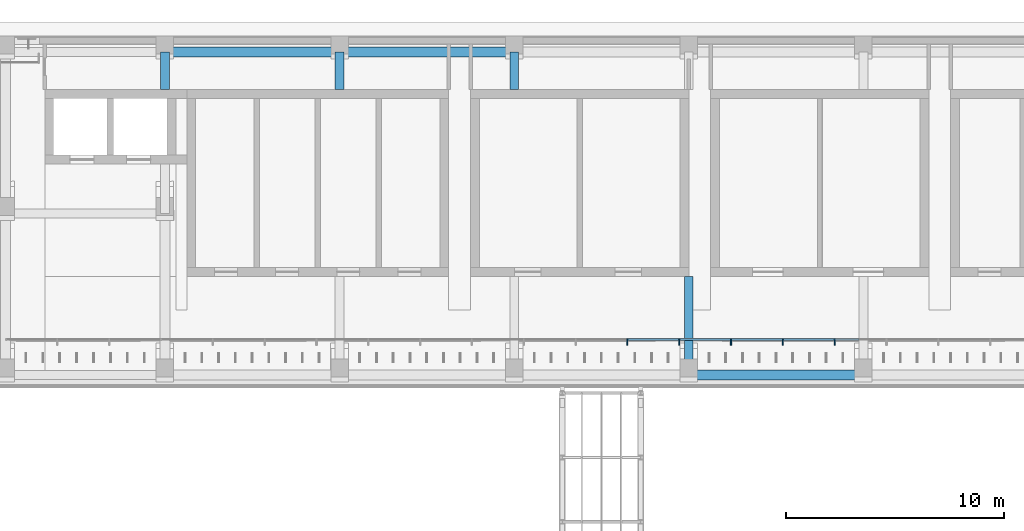
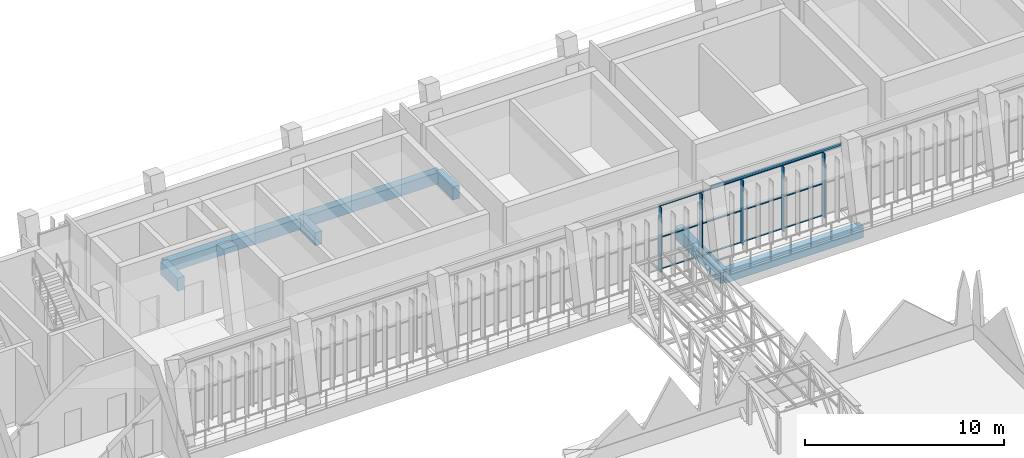
# One storey, part 75 of 141: 17 members, 8 beams, 1 element without a shape of its own.
"""IFC4 building model written with IfcOpenShell, lengths in metres."""

import ifcopenshell
import ifcopenshell.guid

model = None  # the IFC model being written
_history = None  # IfcOwnerHistory: only IFC2X3 demands one
_inside = {}  # id of a spatial element -> (the spatial element, [elements in it])
_under = {}  # id of a project, library or spatial element -> (it, [spatial elements below it])
_declared = {}  # id of a project -> (the project, [libraries it declares])
_typed = {}  # id of a type object -> (the type object, [elements of that type])
_made_of = {}  # id of a material, layer set ... -> (it, [elements and type objects made of it])


def new_model(schema):
    """Start an empty IFC model of exactly this schema.

    Asked for "IFC4X3", IfcOpenShell would pick the latest addendum, in which some entities
    have other attributes; the version numbers below select the first issue.
    IFC2X3 requires an IfcOwnerHistory on every rooted entity: one is made here for all.
    """
    global model, _history
    if schema == "IFC4X3":
        model = ifcopenshell.file(schema_version=(4, 3, 0, 0))
    else:
        model = ifcopenshell.file(schema=schema)
    _inside.clear()
    _under.clear()
    _declared.clear()
    _typed.clear()
    _made_of.clear()
    _history = None
    if model.schema == "IFC2X3":
        org = make("IfcOrganization", Name="unknown")
        user = make(
            "IfcPersonAndOrganization",
            ThePerson=make("IfcPerson", FamilyName="unknown"),
            TheOrganization=org,
        )
        app = make(
            "IfcApplication",
            ApplicationDeveloper=org,
            Version="unknown",
            ApplicationFullName="unknown",
            ApplicationIdentifier="unknown",
        )
        _history = make(
            "IfcOwnerHistory",
            OwningUser=user,
            OwningApplication=app,
            ChangeAction="ADDED",
            CreationDate=0,
        )
    return model


def make(cls, **values):
    """One entity of the class cls with the attributes given. An attribute that is None is left unset."""
    return model.create_entity(
        cls, **{name: value for name, value in values.items() if value is not None}
    )


def rooted(cls, **values):
    """An entity with a GlobalId (a new one), such as an element, a storey or a relation."""
    return make(cls, GlobalId=ifcopenshell.guid.new(), OwnerHistory=_history, **values)


def si_unit(unit_type, name, prefix=None):
    """IfcSIUnit, for example si_unit("LENGTHUNIT", "METRE", prefix="MILLI")."""
    return make("IfcSIUnit", UnitType=unit_type, Prefix=prefix, Name=name)


def assignment(units):
    """IfcUnitAssignment: the units of a project."""
    return None if units is None else make("IfcUnitAssignment", Units=units)


def point(xyz):
    """IfcCartesianPoint."""
    return None if xyz is None else make("IfcCartesianPoint", Coordinates=xyz)


def direction(xyz):
    """IfcDirection."""
    return None if xyz is None else make("IfcDirection", DirectionRatios=xyz)


def frame(location, z_axis=None, x_axis=None):
    """IfcAxis2Placement3D, a coordinate frame: its origin and axes. An axis left out is left unset."""
    return make(
        "IfcAxis2Placement3D",
        Location=point(location),
        Axis=direction(z_axis),
        RefDirection=direction(x_axis),
    )


def frame_2d(location, x_axis=None):
    """IfcAxis2Placement2D, a coordinate frame in the plane: its origin and x axis."""
    return make(
        "IfcAxis2Placement2D", Location=point(location), RefDirection=direction(x_axis)
    )


def origin():
    """The frame at (0, 0, 0) with its axes left unset."""
    return frame((0.0, 0.0, 0.0))


def origin_2d():
    """The frame at (0, 0) in the plane with its x axis left unset."""
    return frame_2d((0.0, 0.0))


def place(relative_to, where):
    """IfcLocalPlacement: puts the frame where relative to a parent placement (None: the world)."""
    return make(
        "IfcLocalPlacement", PlacementRelTo=relative_to, RelativePlacement=where
    )


def context(
    kind, dimensions, precision=None, world=None, true_north=None, identifier=None
):
    """IfcGeometricRepresentationContext, for example the 3D "Model" context."""
    return make(
        "IfcGeometricRepresentationContext",
        ContextIdentifier=identifier,
        ContextType=kind,
        CoordinateSpaceDimension=dimensions,
        Precision=precision,
        WorldCoordinateSystem=world,
        TrueNorth=true_north,
    )


def subcontext(parent, identifier, kind, view, scale=None):
    """IfcGeometricRepresentationSubContext, for example "Body" below "Model"."""
    return make(
        "IfcGeometricRepresentationSubContext",
        ContextIdentifier=identifier,
        ContextType=kind,
        ParentContext=parent,
        TargetScale=scale,
        TargetView=view,
    )


def project(units=None, contexts=None):
    """IfcProject with its units and contexts."""
    return rooted(
        "IfcProject",
        Name="project",
        RepresentationContexts=contexts,
        UnitsInContext=assignment(units),
    )


def spatial(cls, under=None, at=None, **own):
    """A site, building, storey or space (cls), placed at a placement, below another one or the project."""
    s = rooted(cls, ObjectPlacement=at, **own)
    if under is not None:
        _under.setdefault(under.id(), (under, []))[1].append(s)
    return s


def profile(cls, at=None, kind="AREA", **sizes):
    """A parametric profile (cls). Its sizes go by their IFC names, for example OverallWidth=200.0."""
    return make(cls, ProfileType=kind, Position=at, **sizes)


def rectangle(**sizes):
    """IfcRectangleProfileDef."""
    return profile("IfcRectangleProfileDef", **sizes)


def hollow_rectangle(**sizes):
    """IfcRectangleHollowProfileDef."""
    return profile("IfcRectangleHollowProfileDef", **sizes)


def extrude(swept, where, along, depth):
    """IfcExtrudedAreaSolid: the profile swept, set in the frame where, extruded along a direction by depth."""
    return make(
        "IfcExtrudedAreaSolid",
        SweptArea=swept,
        Position=where,
        ExtrudedDirection=direction(along),
        Depth=depth,
    )


def shape(context_of_items, identifier, shape_type, items):
    """IfcShapeRepresentation: the items that make up one representation, for example the "Body"."""
    return make(
        "IfcShapeRepresentation",
        ContextOfItems=context_of_items,
        RepresentationIdentifier=identifier,
        RepresentationType=shape_type,
        Items=items,
    )


def material(Name=None, Category=None):
    """IfcMaterial."""
    return make("IfcMaterial", Name=Name, Category=Category)


def material_profile(
    of_material, cross_section, Name=None, Category=None, Priority=None
):
    """IfcMaterialProfile: a cross section and its material."""
    return make(
        "IfcMaterialProfile",
        Name=Name,
        Material=of_material,
        Profile=cross_section,
        Priority=Priority,
        Category=Category,
    )


def profile_set(profiles, Name=None, composite=None):
    """IfcMaterialProfileSet."""
    return make(
        "IfcMaterialProfileSet",
        Name=Name,
        MaterialProfiles=profiles,
        CompositeProfile=composite,
    )


def made_of(thing, what):
    """Note that an element or type object is made of a material, layer set ...; save() writes the relation."""
    if what is not None:
        _made_of.setdefault(what.id(), (what, []))[1].append(thing)
    return thing


def type_object(cls, material=None, **own):
    """A type object (cls), such as IfcWallType, which elements share."""
    return made_of(rooted(cls, **own), material)


def element(
    cls,
    number,
    at=None,
    inside=None,
    cuts=None,
    type_object=None,
    material=None,
    context=None,
    identifier="Body",
    shape_type=None,
    held_by="IfcProductDefinitionShape",
    body=None,
    shapes=None,
    **own,
):
    """One element of the class cls, such as IfcWall. Its Tag is "e" and its number.

    at: its placement. inside: the storey or other place that contains it. cuts: it is an
    opening in that element (IfcRelVoidsElement). A single representation is given by context,
    identifier, shape_type and body (its items); several are given by shapes. held_by: the class
    of the entity that holds the representations. save() writes the other relations.
    """
    e = rooted(cls, Tag="e%d" % number, ObjectPlacement=at, **own)
    if body is not None:
        shapes = [shape(context, identifier, shape_type, body)]
    if shapes is not None:
        e.Representation = make(held_by, Representations=shapes)
    if inside is not None:
        _inside.setdefault(inside.id(), (inside, []))[1].append(e)
    if cuts is not None:
        rooted(
            "IfcRelVoidsElement", RelatingBuildingElement=cuts, RelatedOpeningElement=e
        )
    if type_object is not None:
        _typed.setdefault(type_object.id(), (type_object, []))[1].append(e)
    return made_of(e, material)


def aggregate(whole, parts):
    """IfcRelAggregates: a whole, such as a stair, and the parts it consists of."""
    return rooted("IfcRelAggregates", RelatingObject=whole, RelatedObjects=parts)


def save(model, path):
    """Write the relations noted so far, then the file.

    IfcRelAggregates (storeys below a building ...), IfcRelContainedInSpatialStructure (elements
    in a storey), IfcRelDefinesByType, IfcRelAssociatesMaterial and IfcRelDeclares: one each for
    every whole, place, type object, material and project.
    """
    for whole, parts in _under.values():
        aggregate(whole, parts)
    for where, things in _inside.values():
        rooted(
            "IfcRelContainedInSpatialStructure",
            RelatedElements=things,
            RelatingStructure=where,
        )
    for kind, things in _typed.values():
        rooted("IfcRelDefinesByType", RelatedObjects=things, RelatingType=kind)
    for what, things in _made_of.values():
        rooted("IfcRelAssociatesMaterial", RelatedObjects=things, RelatingMaterial=what)
    for by, libraries in _declared.values():
        rooted("IfcRelDeclares", RelatingContext=by, RelatedDefinitions=libraries)
    model.write(path)


model = new_model("IFC4")

# Units and contexts
model_context = context("Model", 3, precision=1e-05, world=origin(), true_north=direction((0.0, 1.0)))
body_context = subcontext(model_context, "Body", "Model", "MODEL_VIEW")
ifc_project = project(units=[si_unit("LENGTHUNIT", "METRE"), si_unit("AREAUNIT", "SQUARE_METRE"), si_unit("VOLUMEUNIT", "CUBIC_METRE"), si_unit("PLANEANGLEUNIT", "RADIAN"), si_unit("MASSUNIT", "GRAM", prefix="KILO")], contexts=[model_context])

# Site, building, storey
site_placement = place(None, origin())
site = spatial("IfcSite", under=ifc_project, at=site_placement, CompositionType="ELEMENT")
building_placement = place(site_placement, origin())
building = spatial("IfcBuilding", under=site, at=building_placement, Name="Lantern Court Media Centre", CompositionType="ELEMENT")
storey_placement = place(building_placement, frame((0.0, 0.0, 9.60009765625)))
storey = spatial("IfcBuildingStorey", under=building, at=storey_placement, Name="L02", CompositionType="ELEMENT", Elevation=9.60009765625)

# Curtain wall, members
ifc_material_1 = material(Name="Curtain wall bay 2400")
curtain_wall_type = type_object("IfcCurtainWallType", Name="Curtain wall bay 2400", PredefinedType="NOTDEFINED", material=ifc_material_1)
curtain_wall_placement = place(storey_placement, origin())
curtain_wall = element("IfcCurtainWall", 1, at=curtain_wall_placement, inside=storey, type_object=curtain_wall_type, Name="Curtain wall N inner L02", PredefinedType="NOTDEFINED")
ifc_material_2 = material(Name="Anodised aluminium", Category="aluminium")
ifc_material_profile_1 = material_profile(ifc_material_2, rectangle(XDim=0.300048828125, YDim=0.050048828125, at=origin_2d()), Name="AL 50x300")
ifc_profile_set_1 = profile_set([ifc_material_profile_1], Name="Anodised aluminium")
member_type_1 = type_object("IfcMemberType", Name="Curtain wall mullion 50x300", PredefinedType="MULLION", material=ifc_profile_set_1)
member_1_placement = place(storey_placement, frame((53.18701171875, 100.030029296875, 0.0), z_axis=(0.0, 0.0, 1.0), x_axis=(0.0, 1.0, 0.0)))
member_1 = element("IfcMember", 2, at=member_1_placement, type_object=member_type_1, Name="CW2 mullion 13", PredefinedType="MULLION", context=body_context, shape_type="SweptSolid", body=[
    extrude(rectangle(XDim=0.300048828125, YDim=0.050048828125, at=origin_2d()), origin(), (0.0, 0.0, 1.0), 3.949951171875),
])
member_2_placement = place(storey_placement, frame((55.560791015625, 100.030029296875, 0.0), z_axis=(0.0, 0.0, 1.0), x_axis=(0.0, 1.0, 0.0)))
member_2 = element("IfcMember", 3, at=member_2_placement, type_object=member_type_1, Name="CW2 mullion 14", PredefinedType="MULLION", context=body_context, shape_type="SweptSolid", body=[
    extrude(rectangle(XDim=0.300048828125, YDim=0.050048828125, at=origin_2d()), origin(), (0.0, 0.0, 1.0), 3.949951171875),
])
member_3_placement = place(storey_placement, frame((57.934814453125, 100.030029296875, 0.0), z_axis=(0.0, 0.0, 1.0), x_axis=(0.0, 1.0, 0.0)))
member_3 = element("IfcMember", 4, at=member_3_placement, type_object=member_type_1, Name="CW2 mullion 15", PredefinedType="MULLION", context=body_context, shape_type="SweptSolid", body=[
    extrude(rectangle(XDim=0.300048828125, YDim=0.050048828125, at=origin_2d()), origin(), (0.0, 0.0, 1.0), 3.949951171875),
])
member_4_placement = place(storey_placement, frame((60.30859375, 100.030029296875, 0.0), z_axis=(0.0, 0.0, 1.0), x_axis=(0.0, 1.0, 0.0)))
member_4 = element("IfcMember", 5, at=member_4_placement, type_object=member_type_1, Name="CW2 mullion 16", PredefinedType="MULLION", context=body_context, shape_type="SweptSolid", body=[
    extrude(rectangle(XDim=0.300048828125, YDim=0.050048828125, at=origin_2d()), origin(), (0.0, 0.0, 1.0), 3.949951171875),
])
member_5_placement = place(storey_placement, frame((62.6826171875, 100.030029296875, 0.0), z_axis=(0.0, 0.0, 1.0), x_axis=(0.0, 1.0, 0.0)))
member_5 = element("IfcMember", 6, at=member_5_placement, type_object=member_type_1, Name="CW2 mullion 17", PredefinedType="MULLION", context=body_context, shape_type="SweptSolid", body=[
    extrude(rectangle(XDim=0.300048828125, YDim=0.050048828125, at=origin_2d()), origin(), (0.0, 0.0, 1.0), 3.949951171875),
])
ifc_material_profile_2 = material_profile(ifc_material_2, rectangle(XDim=0.10009765625, YDim=0.050048828125, at=origin_2d()), Name="AL 50x100")
ifc_profile_set_2 = profile_set([ifc_material_profile_2], Name="Anodised aluminium")
member_type_2 = type_object("IfcMemberType", Name="Curtain wall transom 100x50", PredefinedType="USERDEFINED", material=ifc_profile_set_2)
member_6_placement = place(storey_placement, frame((53.2119140625, 100.14990234375, 0.02490234375), z_axis=(1.0, 0.0, 0.0), x_axis=(0.0, 1.0, 0.0)))
member_6 = element("IfcMember", 7, at=member_6_placement, type_object=member_type_2, Name="CW2 transom 13.1", ObjectType="TRANSOM", PredefinedType="USERDEFINED", context=body_context, shape_type="SweptSolid", body=[
    extrude(rectangle(XDim=0.10009765625, YDim=0.050048828125, at=origin_2d()), origin(), (0.0, 0.0, 1.0), 2.323974609375),
])
member_7_placement = place(storey_placement, frame((53.2119140625, 100.14990234375, 1.974853515625), z_axis=(1.0, 0.0, 0.0), x_axis=(0.0, 1.0, 0.0)))
member_7 = element("IfcMember", 8, at=member_7_placement, type_object=member_type_2, Name="CW2 transom 13.2", ObjectType="TRANSOM", PredefinedType="USERDEFINED", context=body_context, shape_type="SweptSolid", body=[
    extrude(rectangle(XDim=0.10009765625, YDim=0.050048828125, at=origin_2d()), origin(), (0.0, 0.0, 1.0), 2.323974609375),
])
member_8_placement = place(storey_placement, frame((53.2119140625, 100.14990234375, 3.9248046875), z_axis=(1.0, 0.0, 0.0), x_axis=(0.0, 1.0, 0.0)))
member_8 = element("IfcMember", 9, at=member_8_placement, type_object=member_type_2, Name="CW2 transom 13.3", ObjectType="TRANSOM", PredefinedType="USERDEFINED", context=body_context, shape_type="SweptSolid", body=[
    extrude(rectangle(XDim=0.10009765625, YDim=0.050048828125, at=origin_2d()), origin(), (0.0, 0.0, 1.0), 2.323974609375),
])
member_9_placement = place(storey_placement, frame((55.5859375, 100.14990234375, 0.02490234375), z_axis=(1.0, 0.0, 0.0), x_axis=(0.0, 1.0, 0.0)))
member_9 = element("IfcMember", 10, at=member_9_placement, type_object=member_type_2, Name="CW2 transom 14.1", ObjectType="TRANSOM", PredefinedType="USERDEFINED", context=body_context, shape_type="SweptSolid", body=[
    extrude(rectangle(XDim=0.10009765625, YDim=0.050048828125, at=origin_2d()), origin(), (0.0, 0.0, 1.0), 2.32373046875),
])
member_10_placement = place(storey_placement, frame((55.5859375, 100.14990234375, 1.974853515625), z_axis=(1.0, 0.0, 0.0), x_axis=(0.0, 1.0, 0.0)))
member_10 = element("IfcMember", 11, at=member_10_placement, type_object=member_type_2, Name="CW2 transom 14.2", ObjectType="TRANSOM", PredefinedType="USERDEFINED", context=body_context, shape_type="SweptSolid", body=[
    extrude(rectangle(XDim=0.10009765625, YDim=0.050048828125, at=origin_2d()), origin(), (0.0, 0.0, 1.0), 2.32373046875),
])
member_11_placement = place(storey_placement, frame((55.5859375, 100.14990234375, 3.9248046875), z_axis=(1.0, 0.0, 0.0), x_axis=(0.0, 1.0, 0.0)))
member_11 = element("IfcMember", 12, at=member_11_placement, type_object=member_type_2, Name="CW2 transom 14.3", ObjectType="TRANSOM", PredefinedType="USERDEFINED", context=body_context, shape_type="SweptSolid", body=[
    extrude(rectangle(XDim=0.10009765625, YDim=0.050048828125, at=origin_2d()), origin(), (0.0, 0.0, 1.0), 2.32373046875),
])
member_12_placement = place(storey_placement, frame((57.959716796875, 100.14990234375, 0.02490234375), z_axis=(1.0, 0.0, 0.0), x_axis=(0.0, 1.0, 0.0)))
member_12 = element("IfcMember", 13, at=member_12_placement, type_object=member_type_2, Name="CW2 transom 15.1", ObjectType="TRANSOM", PredefinedType="USERDEFINED", context=body_context, shape_type="SweptSolid", body=[
    extrude(rectangle(XDim=0.10009765625, YDim=0.050048828125, at=origin_2d()), origin(), (0.0, 0.0, 1.0), 2.323974609375),
])
member_13_placement = place(storey_placement, frame((57.959716796875, 100.14990234375, 1.974853515625), z_axis=(1.0, 0.0, 0.0), x_axis=(0.0, 1.0, 0.0)))
member_13 = element("IfcMember", 14, at=member_13_placement, type_object=member_type_2, Name="CW2 transom 15.2", ObjectType="TRANSOM", PredefinedType="USERDEFINED", context=body_context, shape_type="SweptSolid", body=[
    extrude(rectangle(XDim=0.10009765625, YDim=0.050048828125, at=origin_2d()), origin(), (0.0, 0.0, 1.0), 2.323974609375),
])
member_14_placement = place(storey_placement, frame((57.959716796875, 100.14990234375, 3.9248046875), z_axis=(1.0, 0.0, 0.0), x_axis=(0.0, 1.0, 0.0)))
member_14 = element("IfcMember", 15, at=member_14_placement, type_object=member_type_2, Name="CW2 transom 15.3", ObjectType="TRANSOM", PredefinedType="USERDEFINED", context=body_context, shape_type="SweptSolid", body=[
    extrude(rectangle(XDim=0.10009765625, YDim=0.050048828125, at=origin_2d()), origin(), (0.0, 0.0, 1.0), 2.323974609375),
])
member_15_placement = place(storey_placement, frame((60.333740234375, 100.14990234375, 0.02490234375), z_axis=(1.0, 0.0, 0.0), x_axis=(0.0, 1.0, 0.0)))
member_15 = element("IfcMember", 16, at=member_15_placement, type_object=member_type_2, Name="CW2 transom 16.1", ObjectType="TRANSOM", PredefinedType="USERDEFINED", context=body_context, shape_type="SweptSolid", body=[
    extrude(rectangle(XDim=0.10009765625, YDim=0.050048828125, at=origin_2d()), origin(), (0.0, 0.0, 1.0), 2.323974609375),
])
member_16_placement = place(storey_placement, frame((60.333740234375, 100.14990234375, 1.974853515625), z_axis=(1.0, 0.0, 0.0), x_axis=(0.0, 1.0, 0.0)))
member_16 = element("IfcMember", 17, at=member_16_placement, type_object=member_type_2, Name="CW2 transom 16.2", ObjectType="TRANSOM", PredefinedType="USERDEFINED", context=body_context, shape_type="SweptSolid", body=[
    extrude(rectangle(XDim=0.10009765625, YDim=0.050048828125, at=origin_2d()), origin(), (0.0, 0.0, 1.0), 2.323974609375),
])
member_17_placement = place(storey_placement, frame((60.333740234375, 100.14990234375, 3.9248046875), z_axis=(1.0, 0.0, 0.0), x_axis=(0.0, 1.0, 0.0)))
member_17 = element("IfcMember", 18, at=member_17_placement, type_object=member_type_2, Name="CW2 transom 16.3", ObjectType="TRANSOM", PredefinedType="USERDEFINED", context=body_context, shape_type="SweptSolid", body=[
    extrude(rectangle(XDim=0.10009765625, YDim=0.050048828125, at=origin_2d()), origin(), (0.0, 0.0, 1.0), 2.323974609375),
])
aggregate(curtain_wall, [member_1, member_2, member_3, member_4, member_5, member_6, member_7, member_8, member_9, member_10, member_11, member_12, member_13, member_14, member_15, member_16, member_17])

# Beams
ifc_material_3 = material(Name="Steel S355J2 (EN 10025-2)", Category="steel")
ifc_material_profile_3 = material_profile(ifc_material_3, hollow_rectangle(XDim=0.10009765625, YDim=0.14990234375, WallThickness=0.00634765625, InnerFilletRadius=0.00634765625, OuterFilletRadius=0.009521484375, at=origin_2d()), Name="Facade head lintel RHS 150x100x6.3")
ifc_profile_set_3 = profile_set([ifc_material_profile_3], Name="Steel S355J2 (EN 10025-2)")
beam_type_1 = type_object("IfcBeamType", Name="Facade head lintel RHS 150x100x6.3", PredefinedType="BEAM", material=ifc_profile_set_3)
beam_1_placement = place(storey_placement, frame((56.199951171875, 100.14990234375, 4.02490234375), z_axis=(1.0, 0.0, 0.0), x_axis=(0.0, 1.0, 0.0)))
element("IfcBeam", 19, at=beam_1_placement, inside=storey, type_object=beam_type_1, Name="Facade head lintel N L02", PredefinedType="BEAM", context=body_context, shape_type="SweptSolid", body=[
    extrude(hollow_rectangle(XDim=0.10009765625, YDim=0.14990234375, WallThickness=0.00634765625, InnerFilletRadius=0.00634765625, OuterFilletRadius=0.009521484375, at=origin_2d()), origin(), (0.0, 0.0, 1.0), 7.60009765625),
])
ifc_material_4 = material(Name="Concrete C35", Category="concrete")
ifc_material_profile_4 = material_profile(ifc_material_4, rectangle(XDim=0.39990234375, YDim=0.800048828125, at=origin_2d()), Name="RC 400x800")
ifc_profile_set_4 = profile_set([ifc_material_profile_4], Name="Concrete C35")
beam_type_2 = type_object("IfcBeamType", Name="RC BEAM 400x800", PredefinedType="BEAM", material=ifc_profile_set_4)
for number, where, z_axis, x_axis, name in (
    (20, (32.0, 111.60009765625, -0.400146484375), (0.0, 1.0, 0.0), (-1.0, 0.0, 0.0), "TB-N-L02-1-21"),
    (21, (40.0, 111.60009765625, -0.400146484375), (0.0, 1.0, 0.0), (-1.0, 0.0, 0.0), "TB-N-L02-2-11"),
    (22, (48.0, 111.60009765625, -0.400146484375), (0.0, 1.0, 0.0), (-1.0, 0.0, 0.0), "TB-N-L02-3-11"),
):
    element("IfcBeam", number, at=place(storey_placement, frame(where, z_axis=z_axis, x_axis=x_axis)), inside=storey, type_object=beam_type_2, Name=name, PredefinedType="BEAM", context=body_context, shape_type="SweptSolid", body=[
        extrude(rectangle(XDim=0.39990234375, YDim=0.800048828125, at=origin_2d()), origin(), (0.0, 0.0, 1.0), 1.716552734375),
    ])
beam_2_placement = place(storey_placement, frame((56.0, 98.5166015625, -0.400146484375), z_axis=(0.0, 1.0, 0.0), x_axis=(-1.0, 0.0, 0.0)))
element("IfcBeam", 23, at=beam_2_placement, inside=storey, type_object=beam_type_2, Name="TB-N-L02-4-1", PredefinedType="BEAM", context=body_context, shape_type="SweptSolid", body=[
    extrude(rectangle(XDim=0.39990234375, YDim=0.800048828125, at=origin_2d()), origin(), (0.0, 0.0, 1.0), 4.533447265625),
])
ifc_material_profile_5 = material_profile(ifc_material_4, rectangle(XDim=0.449951171875, YDim=0.699951171875, at=origin_2d()), Name="RC 450x700")
ifc_profile_set_5 = profile_set([ifc_material_profile_5], Name="Concrete C35")
beam_type_3 = type_object("IfcBeamType", Name="RC BEAM 450x700", PredefinedType="BEAM", material=ifc_profile_set_5)
for number, where, z_axis, x_axis, name in (
    (24, (56.0, 98.527099609375, -0.35009765625), (1.0, 0.0, 0.0), (0.0, 1.0, 0.0), "LB-N-L02-0-4"),
    (25, (32.0, 113.3271484375, -0.35009765625), (1.0, 0.0, 0.0), (0.0, 1.0, 0.0), "LB-N-L02-2-1"),
    (26, (40.0, 113.3271484375, -0.35009765625), (1.0, 0.0, 0.0), (0.0, 1.0, 0.0), "LB-N-L02-2-2"),
):
    element("IfcBeam", number, at=place(storey_placement, frame(where, z_axis=z_axis, x_axis=x_axis)), inside=storey, type_object=beam_type_3, Name=name, PredefinedType="BEAM", context=body_context, shape_type="SweptSolid", body=[
        extrude(rectangle(XDim=0.449951171875, YDim=0.699951171875, at=origin_2d()), origin(), (0.0, 0.0, 1.0), 8.0),
    ])

save(model, "model.ifc")
